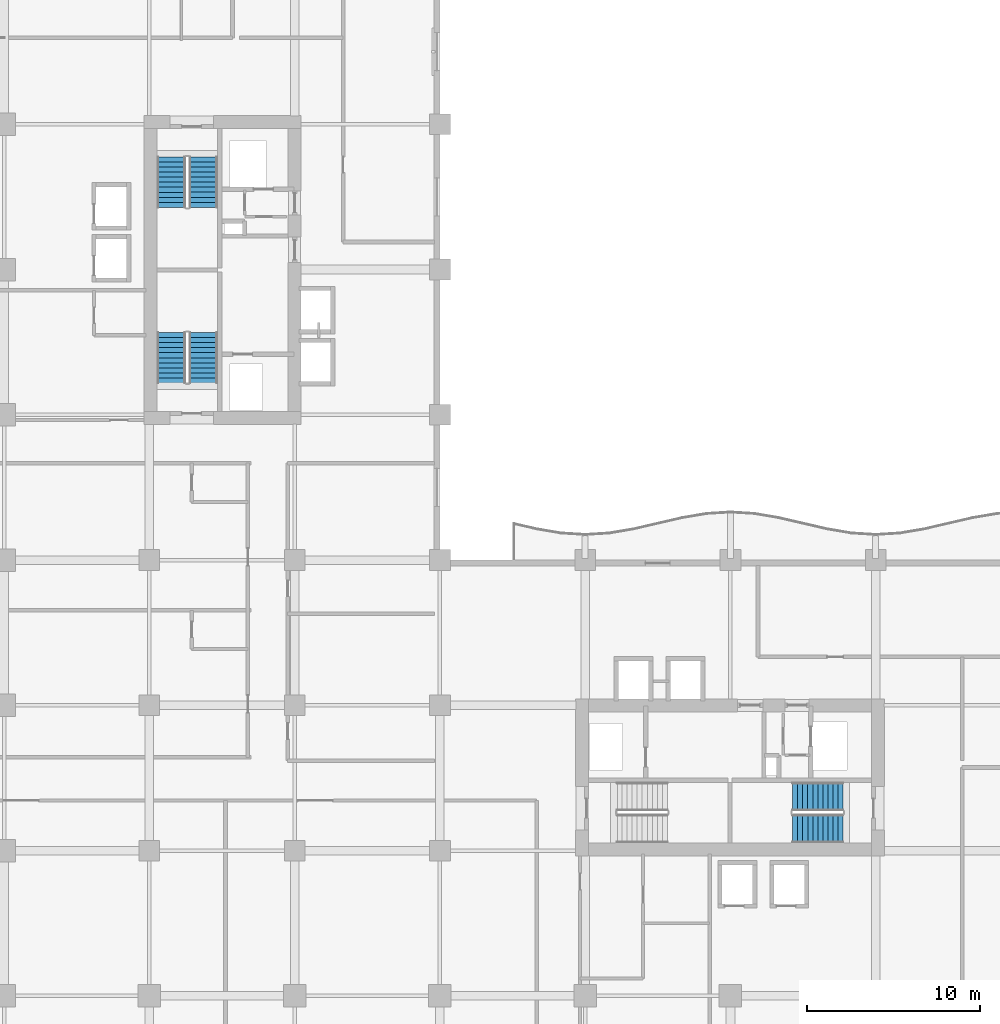
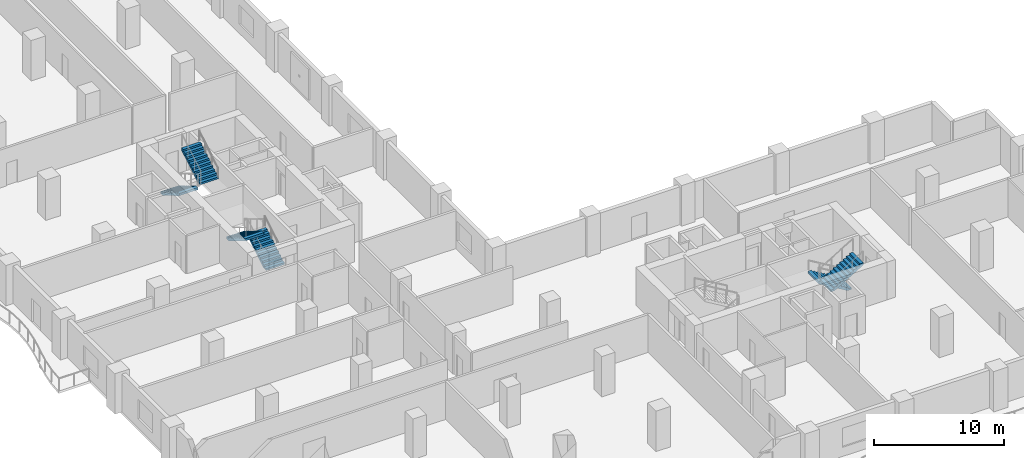
# One storey, part 15 of 22: 6 stair flights, 3 elements without a shape of their own.
"""IFC4 building model written with IfcOpenShell, lengths in metres."""

import ifcopenshell
import ifcopenshell.guid

model = None  # the IFC model being written
_history = None  # IfcOwnerHistory: only IFC2X3 demands one
_inside = {}  # id of a spatial element -> (the spatial element, [elements in it])
_under = {}  # id of a project, library or spatial element -> (it, [spatial elements below it])
_declared = {}  # id of a project -> (the project, [libraries it declares])
_typed = {}  # id of a type object -> (the type object, [elements of that type])
_made_of = {}  # id of a material, layer set ... -> (it, [elements and type objects made of it])


def new_model(schema):
    """Start an empty IFC model of exactly this schema.

    Asked for "IFC4X3", IfcOpenShell would pick the latest addendum, in which some entities
    have other attributes; the version numbers below select the first issue.
    IFC2X3 requires an IfcOwnerHistory on every rooted entity: one is made here for all.
    """
    global model, _history
    if schema == "IFC4X3":
        model = ifcopenshell.file(schema_version=(4, 3, 0, 0))
    else:
        model = ifcopenshell.file(schema=schema)
    _inside.clear()
    _under.clear()
    _declared.clear()
    _typed.clear()
    _made_of.clear()
    _history = None
    if model.schema == "IFC2X3":
        org = make("IfcOrganization", Name="unknown")
        user = make(
            "IfcPersonAndOrganization",
            ThePerson=make("IfcPerson", FamilyName="unknown"),
            TheOrganization=org,
        )
        app = make(
            "IfcApplication",
            ApplicationDeveloper=org,
            Version="unknown",
            ApplicationFullName="unknown",
            ApplicationIdentifier="unknown",
        )
        _history = make(
            "IfcOwnerHistory",
            OwningUser=user,
            OwningApplication=app,
            ChangeAction="ADDED",
            CreationDate=0,
        )
    return model


def make(cls, **values):
    """One entity of the class cls with the attributes given. An attribute that is None is left unset."""
    return model.create_entity(
        cls, **{name: value for name, value in values.items() if value is not None}
    )


def rooted(cls, **values):
    """An entity with a GlobalId (a new one), such as an element, a storey or a relation."""
    return make(cls, GlobalId=ifcopenshell.guid.new(), OwnerHistory=_history, **values)


def si_unit(unit_type, name, prefix=None):
    """IfcSIUnit, for example si_unit("LENGTHUNIT", "METRE", prefix="MILLI")."""
    return make("IfcSIUnit", UnitType=unit_type, Prefix=prefix, Name=name)


def assignment(units):
    """IfcUnitAssignment: the units of a project."""
    return None if units is None else make("IfcUnitAssignment", Units=units)


def point(xyz):
    """IfcCartesianPoint."""
    return None if xyz is None else make("IfcCartesianPoint", Coordinates=xyz)


def direction(xyz):
    """IfcDirection."""
    return None if xyz is None else make("IfcDirection", DirectionRatios=xyz)


def frame(location, z_axis=None, x_axis=None):
    """IfcAxis2Placement3D, a coordinate frame: its origin and axes. An axis left out is left unset."""
    return make(
        "IfcAxis2Placement3D",
        Location=point(location),
        Axis=direction(z_axis),
        RefDirection=direction(x_axis),
    )


def origin():
    """The frame at (0, 0, 0) with its axes left unset."""
    return frame((0.0, 0.0, 0.0))


def place(relative_to, where):
    """IfcLocalPlacement: puts the frame where relative to a parent placement (None: the world)."""
    return make(
        "IfcLocalPlacement", PlacementRelTo=relative_to, RelativePlacement=where
    )


def context(
    kind, dimensions, precision=None, world=None, true_north=None, identifier=None
):
    """IfcGeometricRepresentationContext, for example the 3D "Model" context."""
    return make(
        "IfcGeometricRepresentationContext",
        ContextIdentifier=identifier,
        ContextType=kind,
        CoordinateSpaceDimension=dimensions,
        Precision=precision,
        WorldCoordinateSystem=world,
        TrueNorth=true_north,
    )


def subcontext(parent, identifier, kind, view, scale=None):
    """IfcGeometricRepresentationSubContext, for example "Body" below "Model"."""
    return make(
        "IfcGeometricRepresentationSubContext",
        ContextIdentifier=identifier,
        ContextType=kind,
        ParentContext=parent,
        TargetScale=scale,
        TargetView=view,
    )


def project(units=None, contexts=None):
    """IfcProject with its units and contexts."""
    return rooted(
        "IfcProject",
        Name="project",
        RepresentationContexts=contexts,
        UnitsInContext=assignment(units),
    )


def spatial(cls, under=None, at=None, **own):
    """A site, building, storey or space (cls), placed at a placement, below another one or the project."""
    s = rooted(cls, ObjectPlacement=at, **own)
    if under is not None:
        _under.setdefault(under.id(), (under, []))[1].append(s)
    return s


def polyline(points):
    """IfcPolyline through the points."""
    return make("IfcPolyline", Points=[point(p) for p in points])


def outline(outer, holes=None, kind="AREA"):
    """IfcArbitraryClosedProfileDef: a profile drawn as a closed curve; with holes, ...WithVoids."""
    if holes is None:
        return make("IfcArbitraryClosedProfileDef", ProfileType=kind, OuterCurve=outer)
    return make(
        "IfcArbitraryProfileDefWithVoids",
        ProfileType=kind,
        OuterCurve=outer,
        InnerCurves=holes,
    )


def extrude(swept, where, along, depth):
    """IfcExtrudedAreaSolid: the profile swept, set in the frame where, extruded along a direction by depth."""
    return make(
        "IfcExtrudedAreaSolid",
        SweptArea=swept,
        Position=where,
        ExtrudedDirection=direction(along),
        Depth=depth,
    )


def shape(context_of_items, identifier, shape_type, items):
    """IfcShapeRepresentation: the items that make up one representation, for example the "Body"."""
    return make(
        "IfcShapeRepresentation",
        ContextOfItems=context_of_items,
        RepresentationIdentifier=identifier,
        RepresentationType=shape_type,
        Items=items,
    )


def material(Name=None, Category=None):
    """IfcMaterial."""
    return make("IfcMaterial", Name=Name, Category=Category)


def made_of(thing, what):
    """Note that an element or type object is made of a material, layer set ...; save() writes the relation."""
    if what is not None:
        _made_of.setdefault(what.id(), (what, []))[1].append(thing)
    return thing


def type_object(cls, material=None, **own):
    """A type object (cls), such as IfcWallType, which elements share."""
    return made_of(rooted(cls, **own), material)


def element(
    cls,
    number,
    at=None,
    inside=None,
    cuts=None,
    type_object=None,
    material=None,
    context=None,
    identifier="Body",
    shape_type=None,
    held_by="IfcProductDefinitionShape",
    body=None,
    shapes=None,
    **own,
):
    """One element of the class cls, such as IfcWall. Its Tag is "e" and its number.

    at: its placement. inside: the storey or other place that contains it. cuts: it is an
    opening in that element (IfcRelVoidsElement). A single representation is given by context,
    identifier, shape_type and body (its items); several are given by shapes. held_by: the class
    of the entity that holds the representations. save() writes the other relations.
    """
    e = rooted(cls, Tag="e%d" % number, ObjectPlacement=at, **own)
    if body is not None:
        shapes = [shape(context, identifier, shape_type, body)]
    if shapes is not None:
        e.Representation = make(held_by, Representations=shapes)
    if inside is not None:
        _inside.setdefault(inside.id(), (inside, []))[1].append(e)
    if cuts is not None:
        rooted(
            "IfcRelVoidsElement", RelatingBuildingElement=cuts, RelatedOpeningElement=e
        )
    if type_object is not None:
        _typed.setdefault(type_object.id(), (type_object, []))[1].append(e)
    return made_of(e, material)


def aggregate(whole, parts):
    """IfcRelAggregates: a whole, such as a stair, and the parts it consists of."""
    return rooted("IfcRelAggregates", RelatingObject=whole, RelatedObjects=parts)


def save(model, path):
    """Write the relations noted so far, then the file.

    IfcRelAggregates (storeys below a building ...), IfcRelContainedInSpatialStructure (elements
    in a storey), IfcRelDefinesByType, IfcRelAssociatesMaterial and IfcRelDeclares: one each for
    every whole, place, type object, material and project.
    """
    for whole, parts in _under.values():
        aggregate(whole, parts)
    for where, things in _inside.values():
        rooted(
            "IfcRelContainedInSpatialStructure",
            RelatedElements=things,
            RelatingStructure=where,
        )
    for kind, things in _typed.values():
        rooted("IfcRelDefinesByType", RelatedObjects=things, RelatingType=kind)
    for what, things in _made_of.values():
        rooted("IfcRelAssociatesMaterial", RelatedObjects=things, RelatingMaterial=what)
    for by, libraries in _declared.values():
        rooted("IfcRelDeclares", RelatingContext=by, RelatedDefinitions=libraries)
    model.write(path)


model = new_model("IFC4")

# Units and contexts
model_context = context("Model", 3, precision=1e-05, world=origin(), true_north=direction((0.0, 1.0)))
body_context = subcontext(model_context, "Body", "Model", "MODEL_VIEW")
ifc_project = project(units=[si_unit("LENGTHUNIT", "METRE"), si_unit("AREAUNIT", "SQUARE_METRE"), si_unit("VOLUMEUNIT", "CUBIC_METRE"), si_unit("PLANEANGLEUNIT", "RADIAN"), si_unit("MASSUNIT", "GRAM", prefix="KILO")], contexts=[model_context])

# Site, building, storey
site_placement = place(None, origin())
site = spatial("IfcSite", under=ifc_project, at=site_placement, CompositionType="ELEMENT")
building_placement = place(site_placement, origin())
building = spatial("IfcBuilding", under=site, at=building_placement, Name="Koriwani Terraces Tower", CompositionType="ELEMENT")
storey_placement = place(building_placement, frame((0.0, 0.0, 141.800048828125)))
storey = spatial("IfcBuildingStorey", under=building, at=storey_placement, Name="L34", CompositionType="ELEMENT", Elevation=141.800048828125)

# Stair, stair flights
ifc_material = material(Name="Concrete C40/50", Category="concrete")
stair_type = type_object("IfcStairType", Name="STAIR_CORE_DOGLEG_1650", PredefinedType="TWO_STRAIGHT_RUN_STAIR", material=ifc_material)
stair_1_placement = place(storey_placement, origin())
stair_1 = element("IfcStair", 1, at=stair_1_placement, inside=storey, type_object=stair_type, Name="L34 West Core Exit Stair 1", PredefinedType="HALF_TURN_STAIR")
stair_flight_type = type_object("IfcStairFlightType", Name="STAIR_FLIGHT_RC_1650", PredefinedType="STRAIGHT", material=ifc_material)
stair_flight_1_placement = place(storey_placement, frame((19.925048828125, 43.85009765625, 0.0), z_axis=(0.0, 0.0, 1.0), x_axis=(0.0, 1.0, 0.0)))
stair_flight_1 = element("IfcStairFlight", 2, at=stair_flight_1_placement, type_object=stair_flight_type, Name="ST-W1 flight 1", NumberOfRisers=11, NumberOfTreads=10, PredefinedType="STRAIGHT", RiserHeight=0.172727273, TreadLength=0.29, context=body_context, shape_type="SweptSolid", body=[
    extrude(outline(polyline([(0.0, 0.0), (0.0, 0.172607421875), (0.2900390625, 0.172607421875), (0.2900390625, 0.345458984375), (0.580078125, 0.345458984375), (0.580078125, 0.51806640625), (0.8701171875, 0.51806640625), (0.8701171875, 0.69091796875), (1.159912109375, 0.69091796875), (1.159912109375, 0.863525390625), (1.449951171875, 0.863525390625), (1.449951171875, 1.036376953125), (1.739990234375, 1.036376953125), (1.739990234375, 1.208984375), (2.030029296875, 1.208984375), (2.030029296875, 1.3818359375), (2.320068359375, 1.3818359375), (2.320068359375, 1.554443359375), (2.610107421875, 1.554443359375), (2.610107421875, 1.727294921875), (2.89990234375, 1.727294921875), (2.89990234375, 1.89990234375), (2.89990234375, 1.517822265625), (0.3515625, 0.0), (0.0, 0.0)])), frame((0.0, 0.824951171875, 0.0), z_axis=(0.0, -1.0, 0.0), x_axis=(1.0, 0.0, 0.0)), (0.0, 0.0, 1.0), 1.64990234375),
])
stair_flight_2_placement = place(storey_placement, frame((18.074951171875, 46.75, 1.89990234375), z_axis=(0.0, 0.0, 1.0), x_axis=(0.0, -1.0, 0.0)))
stair_flight_2 = element("IfcStairFlight", 3, at=stair_flight_2_placement, type_object=stair_flight_type, Name="ST-W1 flight 2", NumberOfRisers=11, NumberOfTreads=10, PredefinedType="STRAIGHT", RiserHeight=0.172727273, TreadLength=0.29, context=body_context, shape_type="SweptSolid", body=[
    extrude(outline(polyline([(0.0, 0.0), (0.0, 0.172607421875), (0.2900390625, 0.172607421875), (0.2900390625, 0.345458984375), (0.580078125, 0.345458984375), (0.580078125, 0.51806640625), (0.8701171875, 0.51806640625), (0.8701171875, 0.69091796875), (1.159912109375, 0.69091796875), (1.159912109375, 0.863525390625), (1.449951171875, 0.863525390625), (1.449951171875, 1.036376953125), (1.739990234375, 1.036376953125), (1.739990234375, 1.208984375), (2.030029296875, 1.208984375), (2.030029296875, 1.3818359375), (2.320068359375, 1.3818359375), (2.320068359375, 1.554443359375), (2.610107421875, 1.554443359375), (2.610107421875, 1.727294921875), (2.89990234375, 1.727294921875), (2.89990234375, 1.89990234375), (2.89990234375, 1.517822265625), (0.3515625, 0.0), (0.0, 0.0)])), frame((0.0, 0.824951171875, 0.0), z_axis=(0.0, -1.0, 0.0), x_axis=(1.0, 0.0, 0.0)), (0.0, 0.0, 1.0), 1.64990234375),
])
aggregate(stair_1, [stair_flight_1, stair_flight_2])

stair_2_placement = place(storey_placement, origin())
stair_2 = element("IfcStair", 4, at=stair_2_placement, inside=storey, type_object=stair_type, Name="L34 West Core Exit Stair 2", PredefinedType="HALF_TURN_STAIR")
stair_flight_3_placement = place(storey_placement, frame((18.074951171875, 56.89990234375, 0.0), z_axis=(0.0, 0.0, 1.0), x_axis=(0.0, -1.0, 0.0)))
stair_flight_3 = element("IfcStairFlight", 5, at=stair_flight_3_placement, type_object=stair_flight_type, Name="ST-W2 flight 1", NumberOfRisers=11, NumberOfTreads=10, PredefinedType="STRAIGHT", RiserHeight=0.172727273, TreadLength=0.29, context=body_context, shape_type="SweptSolid", body=[
    extrude(outline(polyline([(0.0, 0.0), (0.0, 0.172607421875), (0.2900390625, 0.172607421875), (0.2900390625, 0.345458984375), (0.580078125, 0.345458984375), (0.580078125, 0.51806640625), (0.8701171875, 0.51806640625), (0.8701171875, 0.69091796875), (1.159912109375, 0.69091796875), (1.159912109375, 0.863525390625), (1.449951171875, 0.863525390625), (1.449951171875, 1.036376953125), (1.739990234375, 1.036376953125), (1.739990234375, 1.208984375), (2.030029296875, 1.208984375), (2.030029296875, 1.3818359375), (2.320068359375, 1.3818359375), (2.320068359375, 1.554443359375), (2.610107421875, 1.554443359375), (2.610107421875, 1.727294921875), (2.89990234375, 1.727294921875), (2.89990234375, 1.89990234375), (2.89990234375, 1.517822265625), (0.3515625, 0.0), (0.0, 0.0)])), frame((0.0, 0.824951171875, 0.0), z_axis=(0.0, -1.0, 0.0), x_axis=(1.0, 0.0, 0.0)), (0.0, 0.0, 1.0), 1.64990234375),
])
stair_flight_4_placement = place(storey_placement, frame((19.925048828125, 54.0, 1.89990234375), z_axis=(0.0, 0.0, 1.0), x_axis=(0.0, 1.0, 0.0)))
stair_flight_4 = element("IfcStairFlight", 6, at=stair_flight_4_placement, type_object=stair_flight_type, Name="ST-W2 flight 2", NumberOfRisers=11, NumberOfTreads=10, PredefinedType="STRAIGHT", RiserHeight=0.172727273, TreadLength=0.29, context=body_context, shape_type="SweptSolid", body=[
    extrude(outline(polyline([(0.0, 0.0), (0.0, 0.172607421875), (0.2900390625, 0.172607421875), (0.2900390625, 0.345458984375), (0.580078125, 0.345458984375), (0.580078125, 0.51806640625), (0.8701171875, 0.51806640625), (0.8701171875, 0.69091796875), (1.159912109375, 0.69091796875), (1.159912109375, 0.863525390625), (1.449951171875, 0.863525390625), (1.449951171875, 1.036376953125), (1.739990234375, 1.036376953125), (1.739990234375, 1.208984375), (2.030029296875, 1.208984375), (2.030029296875, 1.3818359375), (2.320068359375, 1.3818359375), (2.320068359375, 1.554443359375), (2.610107421875, 1.554443359375), (2.610107421875, 1.727294921875), (2.89990234375, 1.727294921875), (2.89990234375, 1.89990234375), (2.89990234375, 1.517822265625), (0.3515625, 0.0), (0.0, 0.0)])), frame((0.0, 0.824951171875, 0.0), z_axis=(0.0, -1.0, 0.0), x_axis=(1.0, 0.0, 0.0)), (0.0, 0.0, 1.0), 1.64990234375),
])
aggregate(stair_2, [stair_flight_3, stair_flight_4])

stair_3_placement = place(storey_placement, origin())
stair_3 = element("IfcStair", 7, at=stair_3_placement, inside=storey, type_object=stair_type, Name="L34 East Core Exit Stair 2", PredefinedType="HALF_TURN_STAIR")
stair_flight_5_placement = place(storey_placement, frame((56.89990234375, 19.925048828125, 0.0), z_axis=(0.0, 0.0, 1.0), x_axis=(-1.0, 0.0, 0.0)))
stair_flight_5 = element("IfcStairFlight", 8, at=stair_flight_5_placement, type_object=stair_flight_type, Name="ST-E2 flight 1", NumberOfRisers=11, NumberOfTreads=10, PredefinedType="STRAIGHT", RiserHeight=0.172727273, TreadLength=0.29, context=body_context, shape_type="SweptSolid", body=[
    extrude(outline(polyline([(0.0, 0.0), (0.0, 0.172607421875), (0.2900390625, 0.172607421875), (0.2900390625, 0.345458984375), (0.580078125, 0.345458984375), (0.580078125, 0.51806640625), (0.8701171875, 0.51806640625), (0.8701171875, 0.69091796875), (1.159912109375, 0.69091796875), (1.159912109375, 0.863525390625), (1.449951171875, 0.863525390625), (1.449951171875, 1.036376953125), (1.739990234375, 1.036376953125), (1.739990234375, 1.208984375), (2.030029296875, 1.208984375), (2.030029296875, 1.3818359375), (2.320068359375, 1.3818359375), (2.320068359375, 1.554443359375), (2.610107421875, 1.554443359375), (2.610107421875, 1.727294921875), (2.89990234375, 1.727294921875), (2.89990234375, 1.89990234375), (2.89990234375, 1.517822265625), (0.3515625, 0.0), (0.0, 0.0)])), frame((0.0, 0.824951171875, 0.0), z_axis=(0.0, -1.0, 0.0), x_axis=(1.0, 0.0, 0.0)), (0.0, 0.0, 1.0), 1.64990234375),
])
stair_flight_6_placement = place(storey_placement, frame((54.0, 18.074951171875, 1.89990234375), z_axis=(0.0, 0.0, 1.0), x_axis=(1.0, 0.0, 0.0)))
stair_flight_6 = element("IfcStairFlight", 9, at=stair_flight_6_placement, type_object=stair_flight_type, Name="ST-E2 flight 2", NumberOfRisers=11, NumberOfTreads=10, PredefinedType="STRAIGHT", RiserHeight=0.172727273, TreadLength=0.29, context=body_context, shape_type="SweptSolid", body=[
    extrude(outline(polyline([(0.0, 0.0), (0.0, 0.172607421875), (0.2900390625, 0.172607421875), (0.2900390625, 0.345458984375), (0.580078125, 0.345458984375), (0.580078125, 0.51806640625), (0.8701171875, 0.51806640625), (0.8701171875, 0.69091796875), (1.159912109375, 0.69091796875), (1.159912109375, 0.863525390625), (1.449951171875, 0.863525390625), (1.449951171875, 1.036376953125), (1.739990234375, 1.036376953125), (1.739990234375, 1.208984375), (2.030029296875, 1.208984375), (2.030029296875, 1.3818359375), (2.320068359375, 1.3818359375), (2.320068359375, 1.554443359375), (2.610107421875, 1.554443359375), (2.610107421875, 1.727294921875), (2.89990234375, 1.727294921875), (2.89990234375, 1.89990234375), (2.89990234375, 1.517822265625), (0.3515625, 0.0), (0.0, 0.0)])), frame((0.0, 0.824951171875, 0.0), z_axis=(0.0, -1.0, 0.0), x_axis=(1.0, 0.0, 0.0)), (0.0, 0.0, 1.0), 1.64990234375),
])
aggregate(stair_3, [stair_flight_5, stair_flight_6])

save(model, "model.ifc")
